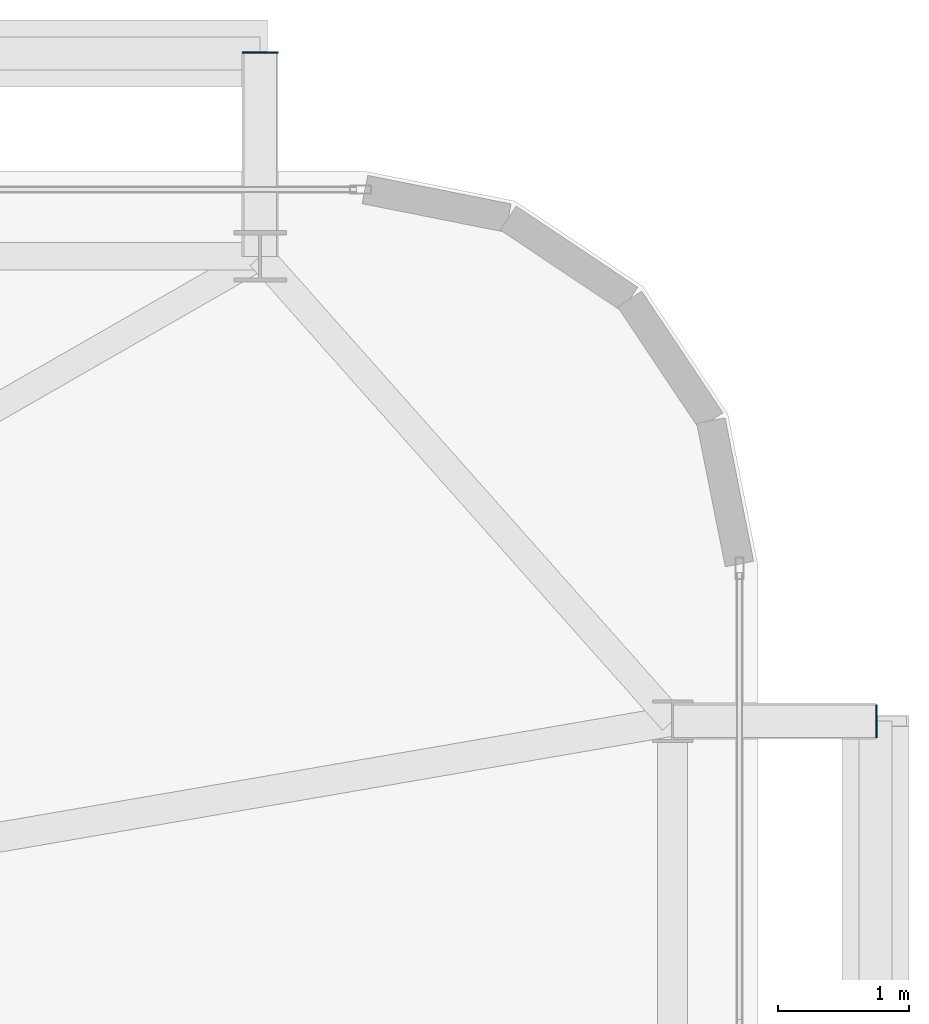
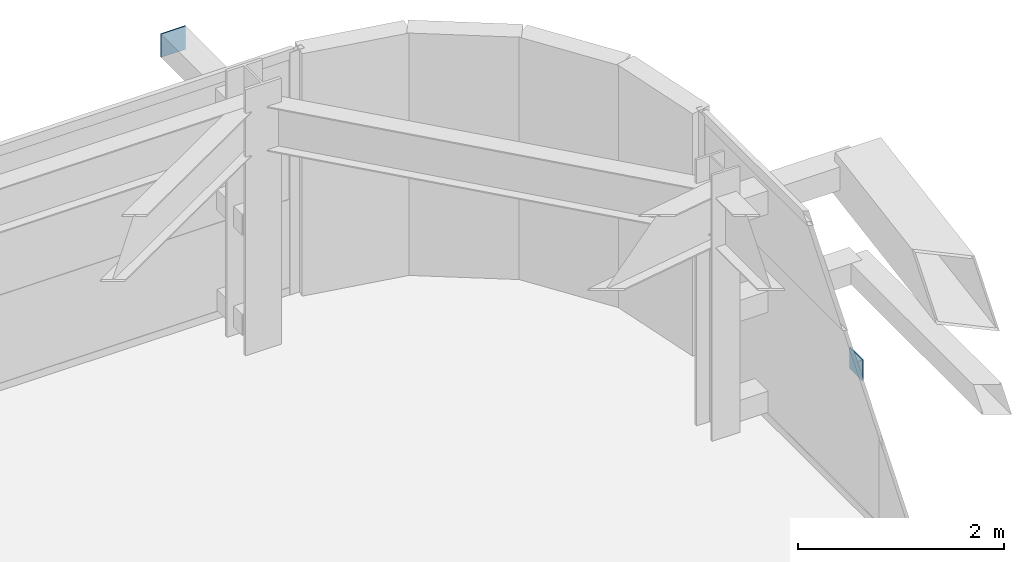
# One storey, part 38 of 45: 2 plates.
"""IFC4 building model written with IfcOpenShell, lengths in metres."""

from ifc_helpers import new_model, si_unit, direction, frame, origin, origin_2d, place, context, subcontext, project, spatial, rectangle, extrude, source, transform, mapped, material, layer, layer_set, type_object, element, save


model = new_model("IFC4")

# Units and contexts
model_context = context("Model", 3, precision=1e-05, world=origin(), true_north=direction((0.0, 1.0)))
body_context = subcontext(model_context, "Body", "Model", "MODEL_VIEW")
ifc_project = project(units=[si_unit("LENGTHUNIT", "METRE"), si_unit("AREAUNIT", "SQUARE_METRE"), si_unit("VOLUMEUNIT", "CUBIC_METRE"), si_unit("PLANEANGLEUNIT", "RADIAN"), si_unit("MASSUNIT", "GRAM", prefix="KILO")], contexts=[model_context])

# Site, building, storey
site_placement = place(None, origin())
site = spatial("IfcSite", under=ifc_project, at=site_placement, CompositionType="ELEMENT")
building_placement = place(site_placement, origin())
building = spatial("IfcBuilding", under=site, at=building_placement, Name="Taldren Reach Tower", CompositionType="ELEMENT")
storey_placement = place(building_placement, frame((0.0, 0.0, 57.75)))
storey = spatial("IfcBuildingStorey", under=building, at=storey_placement, Name="L17", CompositionType="ELEMENT", Elevation=57.75)

# Plates
ifc_material_1 = material(Name="Steel Gr 450 (C450L0)", Category="steel")
ifc_layer_1 = layer(ifc_material_1, 0.011962890625)
ifc_layer_set_1 = layer_set([ifc_layer_1], Name="Steel Gr 450 (C450L0)")
plate_type_1 = type_object("IfcPlateType", Name="PL-CAP-275", PredefinedType="SHEET", material=ifc_layer_set_1)
shared_shape_1 = source(origin(), body_context, "Body", "SweptSolid", [
    extrude(rectangle(XDim=0.27490234375, YDim=0.011962890625, at=origin_2d()), origin(), (0.0, 0.0, 1.0), 0.27490234375),
])
plate_1_placement = place(storey_placement, frame((61.199951171875, 39.406005859375, 2.45263671875), z_axis=(0.0, 0.0, 1.0), x_axis=(1.0, 0.0, 0.0)))
element("IfcPlate", 1, at=plate_1_placement, inside=storey, type_object=plate_type_1, Name="Tie strut end cap plate B1-N6 L17", PredefinedType="SHEET", context=body_context, shape_type="MappedRepresentation", body=[
    mapped(shared_shape_1, transform((0.0, 0.0, 0.0), scale=1.0)),
])
ifc_material_2 = material(Name="Steel Gr 350 (C350L0)", Category="steel")
ifc_layer_2 = layer(ifc_material_2, 0.011962890625)
ifc_layer_set_2 = layer_set([ifc_layer_2], Name="Steel Gr 350 (C350L0)")
plate_type_2 = type_object("IfcPlateType", Name="PL-CAP-250", PredefinedType="SHEET", material=ifc_layer_set_2)
shared_shape_2 = source(origin(), body_context, "Body", "SweptSolid", [
    extrude(rectangle(XDim=0.011962890625, YDim=0.25, at=origin_2d()), origin(), (0.0, 0.0, 1.0), 0.25),
])
plate_2_placement = place(storey_placement, frame((65.906005859375, 34.300048828125, 0.094970703125), z_axis=(0.0, 0.0, 1.0), x_axis=(1.0, 0.0, 0.0)))
element("IfcPlate", 2, at=plate_2_placement, inside=storey, type_object=plate_type_2, Name="Tie strut end cap plate B1-E3 L17", PredefinedType="SHEET", context=body_context, shape_type="MappedRepresentation", body=[
    mapped(shared_shape_2, transform((0.0, 0.0, 0.0), scale=1.0)),
])

save(model, "model.ifc")
